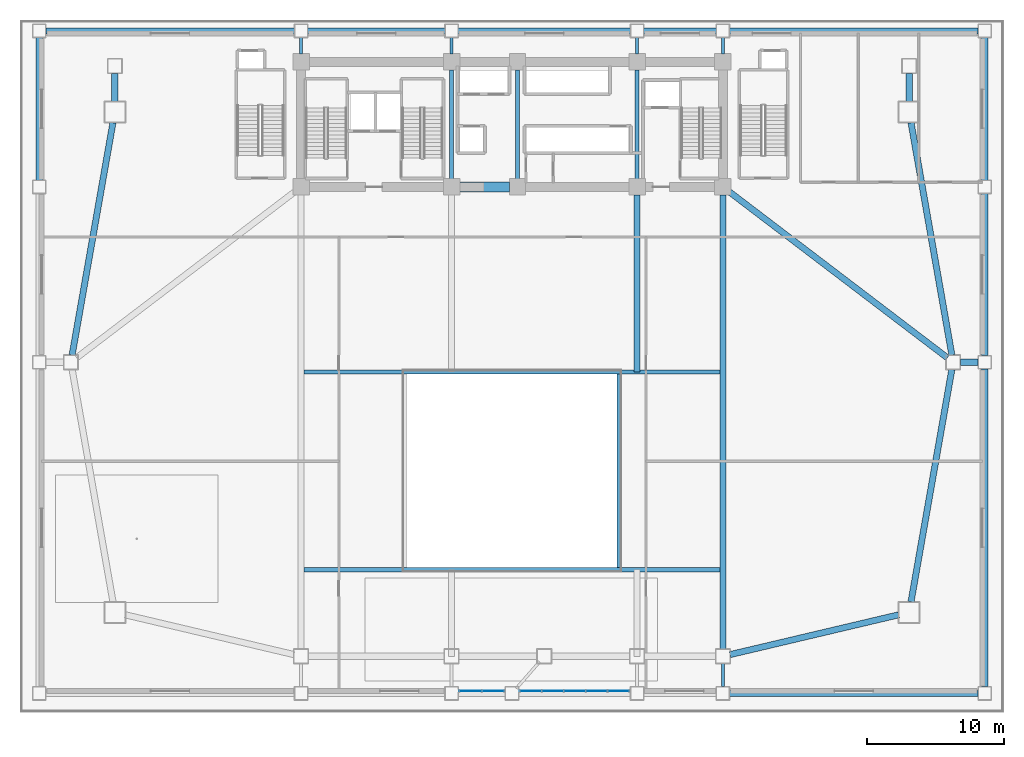
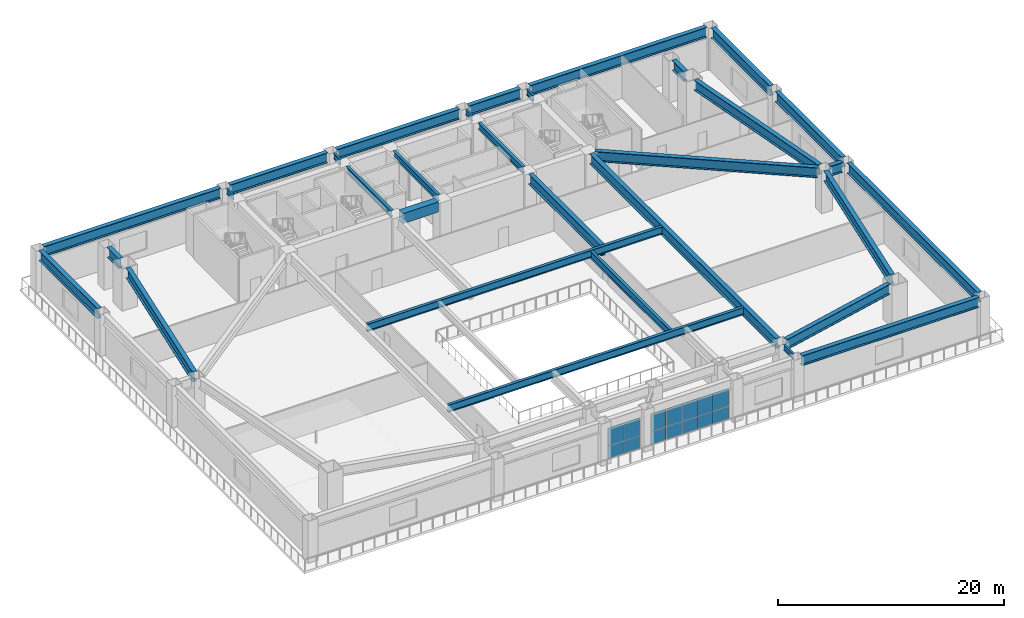
# One storey, part 5 of 14: 32 beams, 14 plates, 2 elements without a shape of their own.
"""IFC4 building model written with IfcOpenShell, lengths in metres."""

from ifc_helpers import new_model, si_unit, direction, frame, origin, origin_2d, place, context, subcontext, project, spatial, rectangle, i_section, extrude, source, transform, mapped, material, layer, layer_set, material_profile, profile_set, type_object, element, aggregate, save


model = new_model("IFC4")

# Units and contexts
model_context = context("Model", 3, precision=1e-05, world=origin(), true_north=direction((0.0, 1.0)))
body_context = subcontext(model_context, "Body", "Model", "MODEL_VIEW")
ifc_project = project(units=[si_unit("LENGTHUNIT", "METRE"), si_unit("AREAUNIT", "SQUARE_METRE"), si_unit("VOLUMEUNIT", "CUBIC_METRE"), si_unit("PLANEANGLEUNIT", "RADIAN"), si_unit("MASSUNIT", "GRAM", prefix="KILO")], contexts=[model_context])

# Site, building, storey
site_placement = place(None, origin())
site = spatial("IfcSite", under=ifc_project, at=site_placement, CompositionType="ELEMENT")
building_placement = place(site_placement, origin())
building = spatial("IfcBuilding", under=site, at=building_placement, Name="Giltprow Tower", CompositionType="ELEMENT")
storey_placement = place(building_placement, frame((0.0, 0.0, 10.39990234375)))
storey = spatial("IfcBuildingStorey", under=building, at=storey_placement, Name="L03", CompositionType="ELEMENT", Elevation=10.39990234375)

# Beams
ifc_material_1 = material(Name="Concrete C60", Category="concrete")
ifc_material_profile_1 = material_profile(ifc_material_1, rectangle(XDim=0.699951171875, YDim=1.10009765625, at=origin_2d()), Name="RC 1100x700")
ifc_profile_set_1 = profile_set([ifc_material_profile_1], Name="Concrete C60")
beam_type_1 = type_object("IfcBeamType", Name="BM-CPL-RC1100", PredefinedType="LINTEL", material=ifc_profile_set_1)
shared_shape_1 = source(origin(), body_context, "Body", "SweptSolid", [
    extrude(rectangle(XDim=0.699951171875, YDim=1.10009765625, at=origin_2d()), origin(), (0.0, 0.0, 1.0), 3.6298828125),
])
beam_1_placement = place(storey_placement, frame((31.385009765625, 37.449951171875, 3.989990234375), z_axis=(1.0, 0.0, 0.0), x_axis=(0.0, 1.0, 0.0)))
element("IfcBeam", 1, at=beam_1_placement, inside=storey, type_object=beam_type_1, Name="L03 Core Coupling Beam CB-1", PredefinedType="LINTEL", context=body_context, shape_type="MappedRepresentation", body=[
    mapped(shared_shape_1, transform((0.0, 0.0, 0.0), x_axis=(1.0, 0.0, 0.0), y_axis=(0.0, 1.0, 0.0), z_axis=(0.0, 0.0, 1.0), scale=1.0)),
])
ifc_material_2 = material(Name="Structural steel Q355B", Category="steel")
ifc_material_profile_2 = material_profile(ifc_material_2, i_section(OverallWidth=0.300048828125, OverallDepth=0.699951171875, WebThickness=0.012939453125, FlangeThickness=0.02392578125, at=origin_2d()), Name="HN 700x300x13x24")
ifc_profile_set_2 = profile_set([ifc_material_profile_2], Name="Structural steel Q355B")
beam_type_2 = type_object("IfcBeamType", Name="BM-GIRD-HN700", PredefinedType="BEAM", material=ifc_profile_set_2)
shared_shape_2 = source(origin(), body_context, "Body", "SweptSolid", [
    extrude(i_section(OverallWidth=0.300048828125, OverallDepth=0.699951171875, WebThickness=0.012939453125, FlangeThickness=0.02392578125, at=origin_2d()), origin(), (0.0, 0.0, 1.0), 7.93017578125),
])
for number, where, z_axis, x_axis, name in (
    (2, (30.800048828125, 38.034912109375, 4.190185546875), (0.0, 1.0, 0.0), (-1.0, 0.0, 0.0), "L03 Core Tie Girder M1"),
    (3, (35.60009765625, 38.034912109375, 4.190185546875), (0.0, 1.0, 0.0), (-1.0, 0.0, 0.0), "L03 Core Tie Girder M2"),
    (4, (44.300048828125, 38.034912109375, 4.190185546875), (0.0, 1.0, 0.0), (-1.0, 0.0, 0.0), "L03 Core Tie Girder M3"),
):
    element("IfcBeam", number, at=place(storey_placement, frame(where, z_axis=z_axis, x_axis=x_axis)), inside=storey, type_object=beam_type_2, Name=name, PredefinedType="BEAM", context=body_context, shape_type="MappedRepresentation", body=[
        mapped(shared_shape_2, transform((0.0, 0.0, 0.0), x_axis=(1.0, 0.0, 0.0), y_axis=(0.0, 1.0, 0.0), z_axis=(0.0, 0.0, 1.0), scale=1.0)),
    ])
ifc_material_3 = material(Name="Structural steel Q420GJC", Category="steel")
ifc_material_profile_3 = material_profile(ifc_material_3, i_section(OverallWidth=0.449951171875, OverallDepth=1.10009765625, WebThickness=0.02587890625, FlangeThickness=0.0419921875, at=origin_2d()), Name="WH 1100x450x26x42")
ifc_profile_set_3 = profile_set([ifc_material_profile_3], Name="Structural steel Q420GJC")
beam_type_3 = type_object("IfcBeamType", Name="BM-GIRD-WH1100", PredefinedType="BEAM", material=ifc_profile_set_3)
shared_shape_3 = source(origin(), body_context, "Body", "SweptSolid", [
    extrude(i_section(OverallWidth=0.449951171875, OverallDepth=1.10009765625, WebThickness=0.02587890625, FlangeThickness=0.0419921875, at=origin_2d()), origin(), (0.0, 0.0, 1.0), 12.602294921875),
])
beam_2_placement = place(storey_placement, frame((51.071044921875, 3.423095703125, 3.989990234375), z_axis=(0.973220162017, 0.229875001344, 0.0), x_axis=(-0.229875001344, 0.973220162017, 0.0)))
element("IfcBeam", 5, at=beam_2_placement, inside=storey, type_object=beam_type_3, Name="L03 Tower Base Ring Girder 6", PredefinedType="BEAM", context=body_context, shape_type="MappedRepresentation", body=[
    mapped(shared_shape_3, transform((0.0, 0.0, 0.0), x_axis=(1.0, 0.0, 0.0), y_axis=(0.0, 1.0, 0.0), z_axis=(0.0, 0.0, 1.0), scale=1.0)),
])
shared_shape_4 = source(origin(), body_context, "Body", "SweptSolid", [
    extrude(i_section(OverallWidth=0.449951171875, OverallDepth=1.10009765625, WebThickness=0.02587890625, FlangeThickness=0.0419921875, at=origin_2d()), origin(), (0.0, 0.0, 1.0), 17.1591796875),
])
beam_3_placement = place(storey_placement, frame((64.236083984375, 7.27294921875, 3.989990234375), z_axis=(0.173139216532, 0.984897360997, 0.0), x_axis=(-0.984897360997, 0.173139216532, 0.0)))
element("IfcBeam", 6, at=beam_3_placement, inside=storey, type_object=beam_type_3, Name="L03 Tower Base Ring Girder 7", PredefinedType="BEAM", context=body_context, shape_type="MappedRepresentation", body=[
    mapped(shared_shape_4, transform((0.0, 0.0, 0.0), x_axis=(1.0, 0.0, 0.0), y_axis=(0.0, 1.0, 0.0), z_axis=(0.0, 0.0, 1.0), scale=1.0)),
])
shared_shape_5 = source(origin(), body_context, "Body", "SweptSolid", [
    extrude(i_section(OverallWidth=0.449951171875, OverallDepth=1.10009765625, WebThickness=0.02587890625, FlangeThickness=0.0419921875, at=origin_2d()), origin(), (0.0, 0.0, 1.0), 17.158935546875),
])
for number, where, z_axis, x_axis, name in (
    (7, (67.20703125, 25.22705078125, 3.989990234375), (-0.173141642767, 0.984896934476, 0.0), (-0.984896934476, -0.173141642767, 0.0), "L03 Tower Base Ring Girder 8"),
    (8, (6.1640625, 42.126953125, 3.989990234375), (-0.173141642767, -0.984896934476, 0.0), (0.984896934476, -0.173141642767, 0.0), "L03 Tower Base Ring Girder 11"),
):
    element("IfcBeam", number, at=place(storey_placement, frame(where, z_axis=z_axis, x_axis=x_axis)), inside=storey, type_object=beam_type_3, Name=name, PredefinedType="BEAM", context=body_context, shape_type="MappedRepresentation", body=[
        mapped(shared_shape_5, transform((0.0, 0.0, 0.0), x_axis=(1.0, 0.0, 0.0), y_axis=(0.0, 1.0, 0.0), z_axis=(0.0, 0.0, 1.0), scale=1.0)),
    ])
shared_shape_6 = source(origin(), body_context, "Body", "SweptSolid", [
    extrude(i_section(OverallWidth=0.449951171875, OverallDepth=1.10009765625, WebThickness=0.02587890625, FlangeThickness=0.0419921875, at=origin_2d()), origin(), (0.0, 0.0, 1.0), 2.030029296875),
])
for number, where, z_axis, x_axis, name in (
    (9, (64.10009765625, 43.68505859375, 3.989990234375), (0.0, 1.0, 0.0), (-1.0, 0.0, 0.0), "L03 Tower Base Ring Girder 9"),
    (10, (6.300048828125, 45.715087890625, 3.989990234375), (0.0, -1.0, 0.0), (1.0, 0.0, 0.0), "L03 Tower Base Ring Girder 10"),
):
    element("IfcBeam", number, at=place(storey_placement, frame(where, z_axis=z_axis, x_axis=x_axis)), inside=storey, type_object=beam_type_3, Name=name, PredefinedType="BEAM", context=body_context, shape_type="MappedRepresentation", body=[
        mapped(shared_shape_6, transform((0.0, 0.0, 0.0), x_axis=(1.0, 0.0, 0.0), y_axis=(0.0, 1.0, 0.0), z_axis=(0.0, 0.0, 1.0), scale=1.0)),
    ])
shared_shape_7 = source(origin(), body_context, "Body", "SweptSolid", [
    extrude(i_section(OverallWidth=0.449951171875, OverallDepth=1.10009765625, WebThickness=0.02587890625, FlangeThickness=0.0419921875, at=origin_2d()), origin(), (0.0, 0.0, 1.0), 33.030029296875),
])
beam_4_placement = place(storey_placement, frame((50.550048828125, 3.8349609375, 3.989990234375), z_axis=(0.0, 1.0, 0.0), x_axis=(-1.0, 0.0, 0.0)))
element("IfcBeam", 11, at=beam_4_placement, inside=storey, type_object=beam_type_3, Name="L03 Primary Podium Span Girder S4", PredefinedType="BEAM", context=body_context, shape_type="MappedRepresentation", body=[
    mapped(shared_shape_7, transform((0.0, 0.0, 0.0), x_axis=(1.0, 0.0, 0.0), y_axis=(0.0, 1.0, 0.0), z_axis=(0.0, 0.0, 1.0), scale=1.0)),
])
shared_shape_8 = source(origin(), body_context, "Body", "SweptSolid", [
    extrude(i_section(OverallWidth=0.449951171875, OverallDepth=1.10009765625, WebThickness=0.02587890625, FlangeThickness=0.0419921875, at=origin_2d()), origin(), (0.0, 0.0, 1.0), 19.930908203125),
])
beam_5_placement = place(storey_placement, frame((51.014892578125, 37.095947265625, 3.989990234375), z_axis=(0.795700739064, -0.605689965124, 0.0), x_axis=(0.605689965124, 0.795700739064, 0.0)))
element("IfcBeam", 12, at=beam_5_placement, inside=storey, type_object=beam_type_3, Name="L03 East Tie 2", PredefinedType="BEAM", context=body_context, shape_type="MappedRepresentation", body=[
    mapped(shared_shape_8, transform((0.0, 0.0, 0.0), x_axis=(1.0, 0.0, 0.0), y_axis=(0.0, 1.0, 0.0), z_axis=(0.0, 0.0, 1.0), scale=1.0)),
])
shared_shape_9 = source(origin(), body_context, "Body", "SweptSolid", [
    extrude(i_section(OverallWidth=0.449951171875, OverallDepth=1.10009765625, WebThickness=0.02587890625, FlangeThickness=0.0419921875, at=origin_2d()), origin(), (0.0, 0.0, 1.0), 18.080078125),
])
for number, where, z_axis, x_axis, name in (
    (13, (51.034912109375, 0.60009765625, 3.989990234375), (1.0, 0.0, 0.0), (0.0, 1.0, 0.0), "L03 Podium South Edge Girder"),
    (14, (1.284912109375, 48.800048828125, 3.989990234375), (1.0, 0.0, 0.0), (0.0, 1.0, 0.0), "L03 Podium North Edge Girder"),
    (15, (51.034912109375, 48.800048828125, 3.989990234375), (1.0, 0.0, 0.0), (0.0, 1.0, 0.0), "L03 Podium North Edge Girder"),
):
    element("IfcBeam", number, at=place(storey_placement, frame(where, z_axis=z_axis, x_axis=x_axis)), inside=storey, type_object=beam_type_3, Name=name, PredefinedType="BEAM", context=body_context, shape_type="MappedRepresentation", body=[
        mapped(shared_shape_9, transform((0.0, 0.0, 0.0), x_axis=(1.0, 0.0, 0.0), y_axis=(0.0, 1.0, 0.0), z_axis=(0.0, 0.0, 1.0), scale=1.0)),
    ])
shared_shape_10 = source(origin(), body_context, "Body", "SweptSolid", [
    extrude(i_section(OverallWidth=0.449951171875, OverallDepth=1.10009765625, WebThickness=0.02587890625, FlangeThickness=0.0419921875, at=origin_2d()), origin(), (0.0, 0.0, 1.0), 9.97998046875),
])
beam_6_placement = place(storey_placement, frame((20.3349609375, 48.800048828125, 3.989990234375), z_axis=(1.0, 0.0, 0.0), x_axis=(0.0, 1.0, 0.0)))
element("IfcBeam", 16, at=beam_6_placement, inside=storey, type_object=beam_type_3, Name="L03 Podium North Edge Girder", PredefinedType="BEAM", context=body_context, shape_type="MappedRepresentation", body=[
    mapped(shared_shape_10, transform((0.0, 0.0, 0.0), x_axis=(1.0, 0.0, 0.0), y_axis=(0.0, 1.0, 0.0), z_axis=(0.0, 0.0, 1.0), scale=1.0)),
])
shared_shape_11 = source(origin(), body_context, "Body", "SweptSolid", [
    extrude(i_section(OverallWidth=0.449951171875, OverallDepth=1.10009765625, WebThickness=0.02587890625, FlangeThickness=0.0419921875, at=origin_2d()), origin(), (0.0, 0.0, 1.0), 5.280029296875),
])
beam_7_placement = place(storey_placement, frame((44.784912109375, 48.800048828125, 3.989990234375), z_axis=(1.0, 0.0, 0.0), x_axis=(0.0, 1.0, 0.0)))
element("IfcBeam", 17, at=beam_7_placement, inside=storey, type_object=beam_type_3, Name="L03 Podium North Edge Girder", PredefinedType="BEAM", context=body_context, shape_type="MappedRepresentation", body=[
    mapped(shared_shape_11, transform((0.0, 0.0, 0.0), x_axis=(1.0, 0.0, 0.0), y_axis=(0.0, 1.0, 0.0), z_axis=(0.0, 0.0, 1.0), scale=1.0)),
])
shared_shape_12 = source(origin(), body_context, "Body", "SweptSolid", [
    extrude(i_section(OverallWidth=0.449951171875, OverallDepth=1.10009765625, WebThickness=0.02587890625, FlangeThickness=0.0419921875, at=origin_2d()), origin(), (0.0, 0.0, 1.0), 12.530029296875),
])
beam_8_placement = place(storey_placement, frame((31.284912109375, 48.800048828125, 3.989990234375), z_axis=(1.0, 0.0, 0.0), x_axis=(0.0, 1.0, 0.0)))
element("IfcBeam", 18, at=beam_8_placement, inside=storey, type_object=beam_type_3, Name="L03 Podium North Edge Girder", PredefinedType="BEAM", context=body_context, shape_type="MappedRepresentation", body=[
    mapped(shared_shape_12, transform((0.0, 0.0, 0.0), x_axis=(1.0, 0.0, 0.0), y_axis=(0.0, 1.0, 0.0), z_axis=(0.0, 0.0, 1.0), scale=1.0)),
])
shared_shape_13 = source(origin(), body_context, "Body", "SweptSolid", [
    extrude(i_section(OverallWidth=0.449951171875, OverallDepth=1.10009765625, WebThickness=0.02587890625, FlangeThickness=0.0419921875, at=origin_2d()), origin(), (0.0, 0.0, 1.0), 23.130126953125),
])
beam_9_placement = place(storey_placement, frame((69.60009765625, 1.0849609375, 3.989990234375), z_axis=(0.0, 1.0, 0.0), x_axis=(-1.0, 0.0, 0.0)))
element("IfcBeam", 19, at=beam_9_placement, inside=storey, type_object=beam_type_3, Name="L03 Podium Side Girder", PredefinedType="BEAM", context=body_context, shape_type="MappedRepresentation", body=[
    mapped(shared_shape_13, transform((0.0, 0.0, 0.0), x_axis=(1.0, 0.0, 0.0), y_axis=(0.0, 1.0, 0.0), z_axis=(0.0, 0.0, 1.0), scale=1.0)),
])
shared_shape_14 = source(origin(), body_context, "Body", "SweptSolid", [
    extrude(i_section(OverallWidth=0.449951171875, OverallDepth=1.10009765625, WebThickness=0.02587890625, FlangeThickness=0.0419921875, at=origin_2d()), origin(), (0.0, 0.0, 1.0), 11.780029296875),
])
beam_10_placement = place(storey_placement, frame((69.60009765625, 25.18505859375, 3.989990234375), z_axis=(0.0, 1.0, 0.0), x_axis=(-1.0, 0.0, 0.0)))
element("IfcBeam", 20, at=beam_10_placement, inside=storey, type_object=beam_type_3, Name="L03 Podium Side Girder", PredefinedType="BEAM", context=body_context, shape_type="MappedRepresentation", body=[
    mapped(shared_shape_14, transform((0.0, 0.0, 0.0), x_axis=(1.0, 0.0, 0.0), y_axis=(0.0, 1.0, 0.0), z_axis=(0.0, 0.0, 1.0), scale=1.0)),
])
shared_shape_15 = source(origin(), body_context, "Body", "SweptSolid", [
    extrude(i_section(OverallWidth=0.449951171875, OverallDepth=1.10009765625, WebThickness=0.02587890625, FlangeThickness=0.0419921875, at=origin_2d()), origin(), (0.0, 0.0, 1.0), 10.3798828125),
])
for number, where, z_axis, x_axis, name in (
    (21, (0.800048828125, 37.93505859375, 3.989990234375), (0.0, 1.0, 0.0), (-1.0, 0.0, 0.0), "L03 Podium Side Girder"),
    (22, (69.60009765625, 37.93505859375, 3.989990234375), (0.0, 1.0, 0.0), (-1.0, 0.0, 0.0), "L03 Podium Side Girder"),
):
    element("IfcBeam", number, at=place(storey_placement, frame(where, z_axis=z_axis, x_axis=x_axis)), inside=storey, type_object=beam_type_3, Name=name, PredefinedType="BEAM", context=body_context, shape_type="MappedRepresentation", body=[
        mapped(shared_shape_15, transform((0.0, 0.0, 0.0), x_axis=(1.0, 0.0, 0.0), y_axis=(0.0, 1.0, 0.0), z_axis=(0.0, 0.0, 1.0), scale=1.0)),
    ])
ifc_material_profile_4 = material_profile(ifc_material_2, i_section(OverallWidth=0.199951171875, OverallDepth=0.60009765625, WebThickness=0.010986328125, FlangeThickness=0.01708984375, at=origin_2d()), Name="HN 600x200x11x17")
ifc_profile_set_4 = profile_set([ifc_material_profile_4], Name="Structural steel Q355B")
beam_type_4 = type_object("IfcBeamType", Name="BM-GIRD-HN600", PredefinedType="BEAM", material=ifc_profile_set_4)
shared_shape_16 = source(origin(), body_context, "Body", "SweptSolid", [
    extrude(i_section(OverallWidth=0.199951171875, OverallDepth=0.60009765625, WebThickness=0.010986328125, FlangeThickness=0.01708984375, at=origin_2d()), origin(), (0.0, 0.0, 1.0), 1.679931640625),
])
beam_11_placement = place(storey_placement, frame((50.550048828125, 1.0849609375, 4.239990234375), z_axis=(0.0, 1.0, 0.0), x_axis=(-1.0, 0.0, 0.0)))
element("IfcBeam", 23, at=beam_11_placement, inside=storey, type_object=beam_type_4, Name="L03 South Perimeter Tie S4", PredefinedType="BEAM", context=body_context, shape_type="MappedRepresentation", body=[
    mapped(shared_shape_16, transform((0.0, 0.0, 0.0), x_axis=(1.0, 0.0, 0.0), y_axis=(0.0, 1.0, 0.0), z_axis=(0.0, 0.0, 1.0), scale=1.0)),
])
shared_shape_17 = source(origin(), body_context, "Body", "SweptSolid", [
    extrude(i_section(OverallWidth=0.199951171875, OverallDepth=0.60009765625, WebThickness=0.010986328125, FlangeThickness=0.01708984375, at=origin_2d()), origin(), (0.0, 0.0, 1.0), 1.179931640625),
])
for number, where, z_axis, x_axis, name in (
    (24, (19.85009765625, 47.135009765625, 4.239990234375), (0.0, 1.0, 0.0), (-1.0, 0.0, 0.0), "L03 North Perimeter Tie S1"),
    (25, (30.800048828125, 47.135009765625, 4.239990234375), (0.0, 1.0, 0.0), (-1.0, 0.0, 0.0), "L03 North Perimeter Tie S2"),
    (26, (44.300048828125, 47.135009765625, 4.239990234375), (0.0, 1.0, 0.0), (-1.0, 0.0, 0.0), "L03 North Perimeter Tie S3"),
    (27, (50.550048828125, 47.135009765625, 4.239990234375), (0.0, 1.0, 0.0), (-1.0, 0.0, 0.0), "L03 North Perimeter Tie S4"),
):
    element("IfcBeam", number, at=place(storey_placement, frame(where, z_axis=z_axis, x_axis=x_axis)), inside=storey, type_object=beam_type_4, Name=name, PredefinedType="BEAM", context=body_context, shape_type="MappedRepresentation", body=[
        mapped(shared_shape_17, transform((0.0, 0.0, 0.0), x_axis=(1.0, 0.0, 0.0), y_axis=(0.0, 1.0, 0.0), z_axis=(0.0, 0.0, 1.0), scale=1.0)),
    ])
shared_shape_18 = source(origin(), body_context, "Body", "SweptSolid", [
    extrude(i_section(OverallWidth=0.449951171875, OverallDepth=1.10009765625, WebThickness=0.02587890625, FlangeThickness=0.0419921875, at=origin_2d()), origin(), (0.0, 0.0, 1.0), 12.85009765625),
])
beam_12_placement = place(storey_placement, frame((44.300048828125, 24.0, 3.989990234375), z_axis=(0.0, 1.0, 0.0), x_axis=(-1.0, 0.0, 0.0)))
element("IfcBeam", 28, at=beam_12_placement, inside=storey, type_object=beam_type_3, Name="L03 Atrium North Girder S3", PredefinedType="BEAM", context=body_context, shape_type="MappedRepresentation", body=[
    mapped(shared_shape_18, transform((0.0, 0.0, 0.0), x_axis=(1.0, 0.0, 0.0), y_axis=(0.0, 1.0, 0.0), z_axis=(0.0, 0.0, 1.0), scale=1.0)),
])
shared_shape_19 = source(origin(), body_context, "Body", "SweptSolid", [
    extrude(i_section(OverallWidth=0.449951171875, OverallDepth=1.10009765625, WebThickness=0.02587890625, FlangeThickness=0.0419921875, at=origin_2d()), origin(), (0.0, 0.0, 1.0), 1.280029296875),
])
beam_13_placement = place(storey_placement, frame((67.8349609375, 24.699951171875, 3.989990234375), z_axis=(1.0, 0.0, 0.0), x_axis=(0.0, 1.0, 0.0)))
element("IfcBeam", 29, at=beam_13_placement, inside=storey, type_object=beam_type_3, Name="L03 East Tie 1", PredefinedType="BEAM", context=body_context, shape_type="MappedRepresentation", body=[
    mapped(shared_shape_19, transform((0.0, 0.0, 0.0), x_axis=(1.0, 0.0, 0.0), y_axis=(0.0, 1.0, 0.0), z_axis=(0.0, 0.0, 1.0), scale=1.0)),
])
ifc_material_profile_5 = material_profile(ifc_material_2, i_section(OverallWidth=0.300048828125, OverallDepth=0.800048828125, WebThickness=0.013916015625, FlangeThickness=0.02587890625, at=origin_2d()), Name="HN 800x300x14x26")
ifc_profile_set_5 = profile_set([ifc_material_profile_5], Name="Structural steel Q355B")
beam_type_5 = type_object("IfcBeamType", Name="BM-GIRD-HN800", PredefinedType="BEAM", material=ifc_profile_set_5)
shared_shape_20 = source(origin(), body_context, "Body", "SweptSolid", [
    extrude(i_section(OverallWidth=0.300048828125, OverallDepth=0.800048828125, WebThickness=0.013916015625, FlangeThickness=0.02587890625, at=origin_2d()), origin(), (0.0, 0.0, 1.0), 30.260009765625),
])
for number, where, z_axis, x_axis, name in (
    (30, (20.070068359375, 9.60009765625, 4.14013671875), (1.0, 0.0, 0.0), (0.0, 1.0, 0.0), "L03 Atrium Edge Girder S"),
    (31, (20.070068359375, 24.0, 4.14013671875), (1.0, 0.0, 0.0), (0.0, 1.0, 0.0), "L03 Atrium Edge Girder N"),
):
    element("IfcBeam", number, at=place(storey_placement, frame(where, z_axis=z_axis, x_axis=x_axis)), inside=storey, type_object=beam_type_5, Name=name, PredefinedType="BEAM", context=body_context, shape_type="MappedRepresentation", body=[
        mapped(shared_shape_20, transform((0.0, 0.0, 0.0), x_axis=(1.0, 0.0, 0.0), y_axis=(0.0, 1.0, 0.0), z_axis=(0.0, 0.0, 1.0), scale=1.0)),
    ])
shared_shape_21 = source(origin(), body_context, "Body", "SweptSolid", [
    extrude(i_section(OverallWidth=0.300048828125, OverallDepth=0.800048828125, WebThickness=0.013916015625, FlangeThickness=0.02587890625, at=origin_2d()), origin(), (0.0, 0.0, 1.0), 14.10009765625),
])
beam_14_placement = place(storey_placement, frame((43.0, 9.75, 4.14013671875), z_axis=(0.0, 1.0, 0.0), x_axis=(-1.0, 0.0, 0.0)))
element("IfcBeam", 32, at=beam_14_placement, inside=storey, type_object=beam_type_5, Name="L03 Atrium Edge Girder E", PredefinedType="BEAM", context=body_context, shape_type="MappedRepresentation", body=[
    mapped(shared_shape_21, transform((0.0, 0.0, 0.0), x_axis=(1.0, 0.0, 0.0), y_axis=(0.0, 1.0, 0.0), z_axis=(0.0, 0.0, 1.0), scale=1.0)),
])

# Curtain wall, plates
ifc_material_4 = material(Name="Anodized bronze", Category="metal")
ifc_layer = layer(ifc_material_4, 0.179931640625, Name="Anodized bronze")
ifc_layer_set = layer_set([ifc_layer], Name="Anodized bronze")
curtain_wall_type = type_object("IfcCurtainWallType", Name="CW-POD-STOREFRONT", PredefinedType="NOTDEFINED", material=ifc_layer_set)
curtain_wall_1_placement = place(storey_placement, origin())
curtain_wall_1 = element("IfcCurtainWall", 33, at=curtain_wall_1_placement, inside=storey, type_object=curtain_wall_type, Name="L03 South Waterfront Storefront 3", PredefinedType="NOTDEFINED")
ifc_material_5 = material(Name="Insulated glass", Category="glass")
plate_type = type_object("IfcPlateType", Name="CW-PANEL-IGU-28", PredefinedType="CURTAIN_PANEL", material=ifc_material_5)
shared_shape_22 = source(origin(), body_context, "Body", "SweptSolid", [
    extrude(rectangle(XDim=1.6201171875, YDim=0.028076171875, at=origin_2d()), origin(), (0.0, 0.0, 1.0), 1.367919921875),
])
plate_1_placement = place(storey_placement, frame((32.175048828125, 0.780029296875, 0.05419921875), z_axis=(0.0, 0.0, 1.0), x_axis=(1.0, 0.0, 0.0)))
plate_1 = element("IfcPlate", 34, at=plate_1_placement, type_object=plate_type, Name="L03 South Waterfront Storefront 3 Glazing Panel 1-1", PredefinedType="CURTAIN_PANEL", context=body_context, shape_type="MappedRepresentation", body=[
    mapped(shared_shape_22, transform((0.0, 0.0, 0.0), x_axis=(1.0, 0.0, 0.0), y_axis=(0.0, 1.0, 0.0), z_axis=(0.0, 0.0, 1.0), scale=1.0)),
])
plate_2_placement = place(storey_placement, frame((33.824951171875, 0.780029296875, 0.05419921875), z_axis=(0.0, 0.0, 1.0), x_axis=(1.0, 0.0, 0.0)))
plate_2 = element("IfcPlate", 35, at=plate_2_placement, type_object=plate_type, Name="L03 South Waterfront Storefront 3 Glazing Panel 2-1", PredefinedType="CURTAIN_PANEL", context=body_context, shape_type="MappedRepresentation", body=[
    mapped(shared_shape_22, transform((0.0, 0.0, 0.0), x_axis=(1.0, 0.0, 0.0), y_axis=(0.0, 1.0, 0.0), z_axis=(0.0, 0.0, 1.0), scale=1.0)),
])
shared_shape_23 = source(origin(), body_context, "Body", "SweptSolid", [
    extrude(rectangle(XDim=1.6201171875, YDim=0.028076171875, at=origin_2d()), origin(), (0.0, 0.0, 1.0), 1.916015625),
])
plate_3_placement = place(storey_placement, frame((32.175048828125, 0.780029296875, 1.4501953125), z_axis=(0.0, 0.0, 1.0), x_axis=(1.0, 0.0, 0.0)))
plate_3 = element("IfcPlate", 36, at=plate_3_placement, type_object=plate_type, Name="L03 South Waterfront Storefront 3 Glazing Panel 1-2", PredefinedType="CURTAIN_PANEL", context=body_context, shape_type="MappedRepresentation", body=[
    mapped(shared_shape_23, transform((0.0, 0.0, 0.0), x_axis=(1.0, 0.0, 0.0), y_axis=(0.0, 1.0, 0.0), z_axis=(0.0, 0.0, 1.0), scale=1.0)),
])
plate_4_placement = place(storey_placement, frame((33.824951171875, 0.780029296875, 1.4501953125), z_axis=(0.0, 0.0, 1.0), x_axis=(1.0, 0.0, 0.0)))
plate_4 = element("IfcPlate", 37, at=plate_4_placement, type_object=plate_type, Name="L03 South Waterfront Storefront 3 Glazing Panel 2-2", PredefinedType="CURTAIN_PANEL", context=body_context, shape_type="MappedRepresentation", body=[
    mapped(shared_shape_23, transform((0.0, 0.0, 0.0), x_axis=(1.0, 0.0, 0.0), y_axis=(0.0, 1.0, 0.0), z_axis=(0.0, 0.0, 1.0), scale=1.0)),
])
aggregate(curtain_wall_1, [plate_1, plate_3, plate_2, plate_4])

curtain_wall_2_placement = place(storey_placement, origin())
curtain_wall_2 = element("IfcCurtainWall", 38, at=curtain_wall_2_placement, inside=storey, type_object=curtain_wall_type, Name="L03 South Waterfront Storefront 4", PredefinedType="NOTDEFINED")
shared_shape_24 = source(origin(), body_context, "Body", "SweptSolid", [
    extrude(rectangle(XDim=1.570068359375, YDim=0.028076171875, at=origin_2d()), origin(), (0.0, 0.0, 1.0), 1.367919921875),
])
plate_5_placement = place(storey_placement, frame((36.550048828125, 0.780029296875, 0.05419921875), z_axis=(0.0, 0.0, 1.0), x_axis=(1.0, 0.0, 0.0)))
plate_5 = element("IfcPlate", 39, at=plate_5_placement, type_object=plate_type, Name="L03 South Waterfront Storefront 4 Glazing Panel 1-1", PredefinedType="CURTAIN_PANEL", context=body_context, shape_type="MappedRepresentation", body=[
    mapped(shared_shape_24, transform((0.0, 0.0, 0.0), x_axis=(1.0, 0.0, 0.0), y_axis=(0.0, 1.0, 0.0), z_axis=(0.0, 0.0, 1.0), scale=1.0)),
])
plate_6_placement = place(storey_placement, frame((38.14990234375, 0.780029296875, 0.05419921875), z_axis=(0.0, 0.0, 1.0), x_axis=(1.0, 0.0, 0.0)))
plate_6 = element("IfcPlate", 40, at=plate_6_placement, type_object=plate_type, Name="L03 South Waterfront Storefront 4 Glazing Panel 2-1", PredefinedType="CURTAIN_PANEL", context=body_context, shape_type="MappedRepresentation", body=[
    mapped(shared_shape_24, transform((0.0, 0.0, 0.0), x_axis=(1.0, 0.0, 0.0), y_axis=(0.0, 1.0, 0.0), z_axis=(0.0, 0.0, 1.0), scale=1.0)),
])
plate_7_placement = place(storey_placement, frame((39.75, 0.780029296875, 0.05419921875), z_axis=(0.0, 0.0, 1.0), x_axis=(1.0, 0.0, 0.0)))
plate_7 = element("IfcPlate", 41, at=plate_7_placement, type_object=plate_type, Name="L03 South Waterfront Storefront 4 Glazing Panel 3-1", PredefinedType="CURTAIN_PANEL", context=body_context, shape_type="MappedRepresentation", body=[
    mapped(shared_shape_24, transform((0.0, 0.0, 0.0), x_axis=(1.0, 0.0, 0.0), y_axis=(0.0, 1.0, 0.0), z_axis=(0.0, 0.0, 1.0), scale=1.0)),
])
plate_8_placement = place(storey_placement, frame((41.35009765625, 0.780029296875, 0.05419921875), z_axis=(0.0, 0.0, 1.0), x_axis=(1.0, 0.0, 0.0)))
plate_8 = element("IfcPlate", 42, at=plate_8_placement, type_object=plate_type, Name="L03 South Waterfront Storefront 4 Glazing Panel 4-1", PredefinedType="CURTAIN_PANEL", context=body_context, shape_type="MappedRepresentation", body=[
    mapped(shared_shape_24, transform((0.0, 0.0, 0.0), x_axis=(1.0, 0.0, 0.0), y_axis=(0.0, 1.0, 0.0), z_axis=(0.0, 0.0, 1.0), scale=1.0)),
])
plate_9_placement = place(storey_placement, frame((42.949951171875, 0.780029296875, 0.05419921875), z_axis=(0.0, 0.0, 1.0), x_axis=(1.0, 0.0, 0.0)))
plate_9 = element("IfcPlate", 43, at=plate_9_placement, type_object=plate_type, Name="L03 South Waterfront Storefront 4 Glazing Panel 5-1", PredefinedType="CURTAIN_PANEL", context=body_context, shape_type="MappedRepresentation", body=[
    mapped(shared_shape_24, transform((0.0, 0.0, 0.0), x_axis=(1.0, 0.0, 0.0), y_axis=(0.0, 1.0, 0.0), z_axis=(0.0, 0.0, 1.0), scale=1.0)),
])
shared_shape_25 = source(origin(), body_context, "Body", "SweptSolid", [
    extrude(rectangle(XDim=1.570068359375, YDim=0.028076171875, at=origin_2d()), origin(), (0.0, 0.0, 1.0), 1.916015625),
])
plate_10_placement = place(storey_placement, frame((36.550048828125, 0.780029296875, 1.4501953125), z_axis=(0.0, 0.0, 1.0), x_axis=(1.0, 0.0, 0.0)))
plate_10 = element("IfcPlate", 44, at=plate_10_placement, type_object=plate_type, Name="L03 South Waterfront Storefront 4 Glazing Panel 1-2", PredefinedType="CURTAIN_PANEL", context=body_context, shape_type="MappedRepresentation", body=[
    mapped(shared_shape_25, transform((0.0, 0.0, 0.0), x_axis=(1.0, 0.0, 0.0), y_axis=(0.0, 1.0, 0.0), z_axis=(0.0, 0.0, 1.0), scale=1.0)),
])
plate_11_placement = place(storey_placement, frame((38.14990234375, 0.780029296875, 1.4501953125), z_axis=(0.0, 0.0, 1.0), x_axis=(1.0, 0.0, 0.0)))
plate_11 = element("IfcPlate", 45, at=plate_11_placement, type_object=plate_type, Name="L03 South Waterfront Storefront 4 Glazing Panel 2-2", PredefinedType="CURTAIN_PANEL", context=body_context, shape_type="MappedRepresentation", body=[
    mapped(shared_shape_25, transform((0.0, 0.0, 0.0), x_axis=(1.0, 0.0, 0.0), y_axis=(0.0, 1.0, 0.0), z_axis=(0.0, 0.0, 1.0), scale=1.0)),
])
plate_12_placement = place(storey_placement, frame((39.75, 0.780029296875, 1.4501953125), z_axis=(0.0, 0.0, 1.0), x_axis=(1.0, 0.0, 0.0)))
plate_12 = element("IfcPlate", 46, at=plate_12_placement, type_object=plate_type, Name="L03 South Waterfront Storefront 4 Glazing Panel 3-2", PredefinedType="CURTAIN_PANEL", context=body_context, shape_type="MappedRepresentation", body=[
    mapped(shared_shape_25, transform((0.0, 0.0, 0.0), x_axis=(1.0, 0.0, 0.0), y_axis=(0.0, 1.0, 0.0), z_axis=(0.0, 0.0, 1.0), scale=1.0)),
])
plate_13_placement = place(storey_placement, frame((41.35009765625, 0.780029296875, 1.4501953125), z_axis=(0.0, 0.0, 1.0), x_axis=(1.0, 0.0, 0.0)))
plate_13 = element("IfcPlate", 47, at=plate_13_placement, type_object=plate_type, Name="L03 South Waterfront Storefront 4 Glazing Panel 4-2", PredefinedType="CURTAIN_PANEL", context=body_context, shape_type="MappedRepresentation", body=[
    mapped(shared_shape_25, transform((0.0, 0.0, 0.0), x_axis=(1.0, 0.0, 0.0), y_axis=(0.0, 1.0, 0.0), z_axis=(0.0, 0.0, 1.0), scale=1.0)),
])
plate_14_placement = place(storey_placement, frame((42.949951171875, 0.780029296875, 1.4501953125), z_axis=(0.0, 0.0, 1.0), x_axis=(1.0, 0.0, 0.0)))
plate_14 = element("IfcPlate", 48, at=plate_14_placement, type_object=plate_type, Name="L03 South Waterfront Storefront 4 Glazing Panel 5-2", PredefinedType="CURTAIN_PANEL", context=body_context, shape_type="MappedRepresentation", body=[
    mapped(shared_shape_25, transform((0.0, 0.0, 0.0), x_axis=(1.0, 0.0, 0.0), y_axis=(0.0, 1.0, 0.0), z_axis=(0.0, 0.0, 1.0), scale=1.0)),
])
aggregate(curtain_wall_2, [plate_5, plate_10, plate_6, plate_11, plate_7, plate_12, plate_8, plate_13, plate_9, plate_14])

save(model, "model.ifc")
